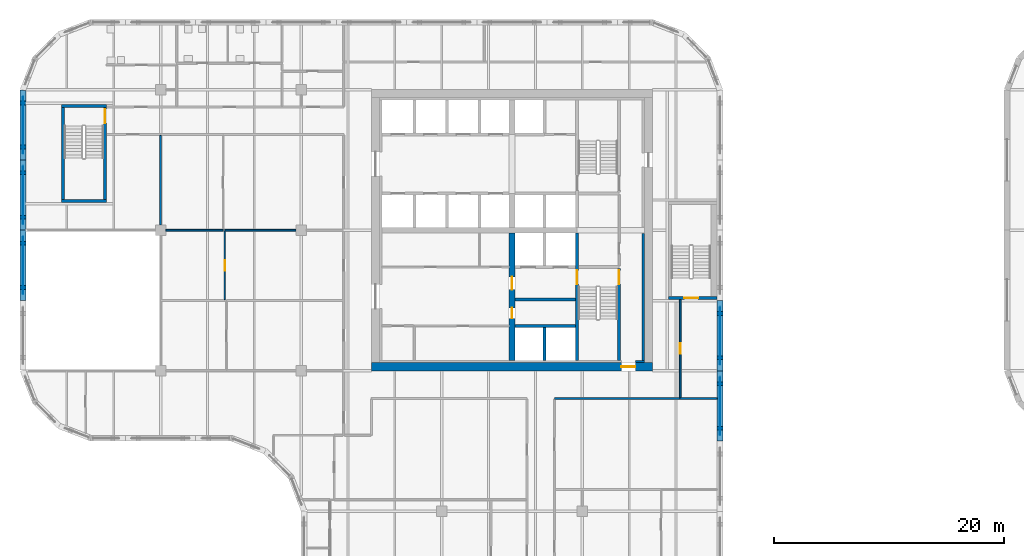
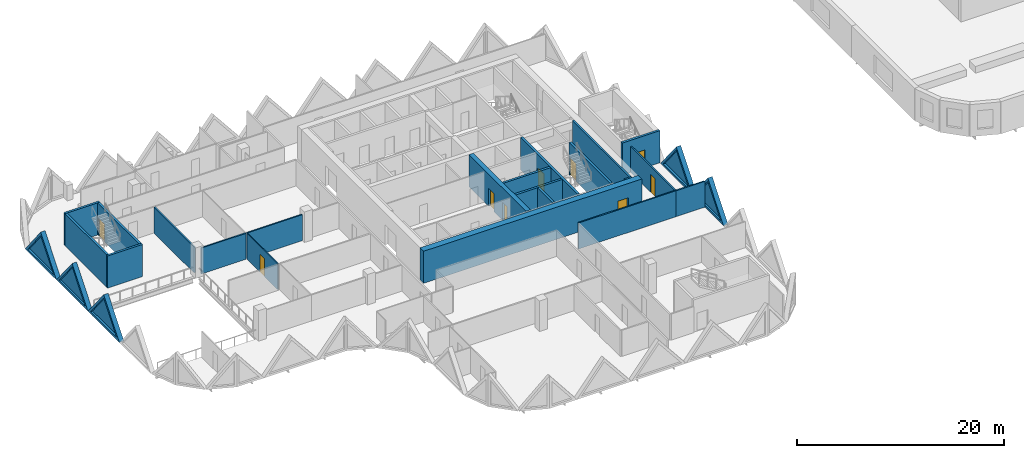
# One storey, part 7 of 17: 26 walls, 9 doors, 5 plates, 14 openings.
"""IFC4 building model written with IfcOpenShell, lengths in metres."""

from ifc_helpers import new_model, si_unit, direction, frame, frame_2d, origin, place, context, subcontext, project, spatial, polyline, rectangle, outline, extrude, faceted_brep, source, transform, mapped, material, layer, layer_set, type_object, element, fill, save


model = new_model("IFC4")

# Units and contexts
model_context = context("Model", 3, precision=1e-05, world=origin(), true_north=direction((0.0, 1.0)))
body_context = subcontext(model_context, "Body", "Model", "MODEL_VIEW")
ifc_project = project(units=[si_unit("LENGTHUNIT", "METRE"), si_unit("AREAUNIT", "SQUARE_METRE"), si_unit("VOLUMEUNIT", "CUBIC_METRE"), si_unit("PLANEANGLEUNIT", "RADIAN"), si_unit("MASSUNIT", "GRAM", prefix="KILO")], contexts=[model_context])

# Site, building, storey
site_placement = place(None, origin())
site = spatial("IfcSite", under=ifc_project, at=site_placement, CompositionType="ELEMENT")
building_placement = place(site_placement, origin())
building = spatial("IfcBuilding", under=site, at=building_placement, Name="Tessera Gate Towers", CompositionType="ELEMENT")
storey_placement = place(building_placement, frame((0.0, 0.0, 112.60009765625)))
storey = spatial("IfcBuildingStorey", under=building, at=storey_placement, Name="L27", CompositionType="ELEMENT", Elevation=112.60009765625)

# Wall, opening, door
ifc_material_1 = material(Name="Concrete C40/50", Category="concrete")
ifc_layer_1 = layer(ifc_material_1, 0.25)
ifc_layer_set_1 = layer_set([ifc_layer_1], Name="CORE ENCLOSURE WALL 250")
wall_type_1 = type_object("IfcWallType", Name="CORE ENCLOSURE WALL 250", PredefinedType="SOLIDWALL", material=ifc_layer_set_1)
wall_1_placement = place(storey_placement, frame((48.35009765625, 36.35009765625, 0.0), z_axis=(0.0, 0.0, 1.0), x_axis=(0.0, -1.0, 0.0)))
wall_1 = element("IfcWall", 1, at=wall_1_placement, inside=storey, type_object=wall_type_1, Name="L27 shaft and stair enclosure wall", PredefinedType="SOLIDWALL", context=body_context, shape_type="SweptSolid", body=[
    extrude(rectangle(XDim=11.050048828125, YDim=0.25, at=frame_2d((5.52490234375, 0.0))), origin(), (0.0, 0.0, 1.0), 3.7998046875),
])
shared_shape_1 = source(origin(), body_context, "Body", "SweptSolid", [
    extrude(rectangle(XDim=1.199951171875, YDim=2.10009765625, at=frame_2d((0.60009765625, 1.050048828125))), frame((0.0, 0.135009765625, 0.0), z_axis=(0.0, -1.0, 0.0), x_axis=(1.0, 0.0, 0.0)), (0.0, 0.0, 1.0), 0.27001953125),
])
opening_1_placement = place(wall_1_placement, frame((3.22509765625, 0.0, 0.0)))
opening_1 = element("IfcOpeningElement", 2, at=opening_1_placement, cuts=wall_1, Name="Opening SD-ST1-1", PredefinedType="OPENING", context=body_context, shape_type="MappedRepresentation", body=[
    mapped(shared_shape_1, transform((0.0, 0.0, 0.0), scale=1.0)),
])
ifc_material_2 = material(Name="Hollow steel fire door", Category="steel")
door_type_1 = type_object("IfcDoorType", Name="CORE DOOR SD 1200x2100", OperationType="NOTDEFINED", PredefinedType="DOOR", material=ifc_material_2)
shared_shape_2 = source(origin(), body_context, "Body", "SweptSolid", [
    extrude(rectangle(XDim=1.199951171875, YDim=2.10009765625, at=frame_2d((0.60009765625, 1.050048828125))), frame((0.0, 0.02490234375, 0.0), z_axis=(0.0, -1.0, 0.0), x_axis=(1.0, 0.0, 0.0)), (0.0, 0.0, 1.0), 0.050048828125),
])
door_1_placement = place(opening_1_placement, origin())
door_1 = element("IfcDoor", 3, at=door_1_placement, inside=storey, type_object=door_type_1, Name="Stair door", OperationType="SINGLE_SWING_LEFT", OverallHeight=2.10009765625, OverallWidth=1.199951171875, PredefinedType="DOOR", context=body_context, shape_type="MappedRepresentation", body=[
    mapped(shared_shape_2, transform((0.0, 0.0, 0.0), scale=1.0)),
])
fill(opening_1, door_1)

wall_2_placement = place(storey_placement, frame((52.0, 25.300048828125, 0.0), z_axis=(0.0, 0.0, 1.0), x_axis=(0.0, 1.0, 0.0)))
wall_2 = element("IfcWall", 4, at=wall_2_placement, inside=storey, type_object=wall_type_1, Name="L27 shaft and stair enclosure wall", PredefinedType="SOLIDWALL", context=body_context, shape_type="SweptSolid", body=[
    extrude(rectangle(XDim=7.974853515625, YDim=0.25, at=frame_2d((3.9873046875, 0.0))), origin(), (0.0, 0.0, 1.0), 3.7998046875),
])
opening_2_placement = place(wall_2_placement, frame((6.625, 0.0, 0.0)))
opening_2 = element("IfcOpeningElement", 5, at=opening_2_placement, cuts=wall_2, Name="Opening SD-ST1-2", PredefinedType="OPENING", context=body_context, shape_type="MappedRepresentation", body=[
    mapped(shared_shape_1, transform((0.0, 0.0, 0.0), scale=1.0)),
])
door_2_placement = place(opening_2_placement, origin())
door_2 = element("IfcDoor", 6, at=door_2_placement, inside=storey, type_object=door_type_1, Name="Stair door", OperationType="SINGLE_SWING_RIGHT", OverallHeight=2.10009765625, OverallWidth=1.199951171875, PredefinedType="DOOR", context=body_context, shape_type="MappedRepresentation", body=[
    mapped(shared_shape_2, transform((0.0, 0.0, 0.0), scale=1.0)),
])
fill(opening_2, door_2)

# Walls
for number, where, z_axis, x_axis, name in (
    (7, (42.949951171875, 28.300048828125, 0.0), (0.0, 0.0, 1.0), (1.0, 0.0, 0.0), "L27 shaft and stair enclosure wall"),
    (8, (42.949951171875, 30.60009765625, 0.0), (0.0, 0.0, 1.0), (1.0, 0.0, 0.0), "L27 shaft and stair enclosure wall"),
):
    element("IfcWall", number, at=place(storey_placement, frame(where, z_axis=z_axis, x_axis=x_axis)), inside=storey, type_object=wall_type_1, Name=name, PredefinedType="SOLIDWALL", context=body_context, shape_type="SweptSolid", body=[
        extrude(rectangle(XDim=5.275146484375, YDim=0.25, at=frame_2d((2.6376953125, 0.0))), origin(), (0.0, 0.0, 1.0), 3.7998046875),
    ])
wall_3_placement = place(storey_placement, frame((45.52490234375, 25.300048828125, 0.0), z_axis=(0.0, 0.0, 1.0), x_axis=(0.0, 1.0, 0.0)))
element("IfcWall", 9, at=wall_3_placement, inside=storey, type_object=wall_type_1, Name="L27 shaft and stair enclosure wall", PredefinedType="SOLIDWALL", context=body_context, shape_type="SweptSolid", body=[
    extrude(rectangle(XDim=2.875, YDim=0.25, at=frame_2d((1.4375, 0.0))), origin(), (0.0, 0.0, 1.0), 3.7998046875),
])
wall_4_placement = place(storey_placement, frame((7.5, 39.125, 0.0), z_axis=(0.0, 0.0, 1.0), x_axis=(-1.0, 0.0, 0.0)))
element("IfcWall", 10, at=wall_4_placement, inside=storey, type_object=wall_type_1, Name="L27 ST3 enclosure wall", PredefinedType="SOLIDWALL", context=body_context, shape_type="SweptSolid", body=[
    extrude(rectangle(XDim=3.89990234375, YDim=0.25, at=frame_2d((1.949951171875, 0.0))), origin(), (0.0, 0.0, 1.0), 3.7998046875),
])
wall_5_placement = place(storey_placement, frame((3.72509765625, 39.25, 0.0), z_axis=(0.0, 0.0, 1.0), x_axis=(0.0, 1.0, 0.0)))
element("IfcWall", 11, at=wall_5_placement, inside=storey, type_object=wall_type_1, Name="L27 ST3 enclosure wall", PredefinedType="SOLIDWALL", context=body_context, shape_type="SweptSolid", body=[
    extrude(rectangle(XDim=8.0, YDim=0.25, at=frame_2d((4.0, 0.0))), origin(), (0.0, 0.0, 1.0), 3.7998046875),
])
wall_6_placement = place(storey_placement, frame((3.60009765625, 47.375, 0.0), z_axis=(0.0, 0.0, 1.0), x_axis=(1.0, 0.0, 0.0)))
element("IfcWall", 12, at=wall_6_placement, inside=storey, type_object=wall_type_1, Name="L27 ST3 enclosure wall", PredefinedType="SOLIDWALL", context=body_context, shape_type="SweptSolid", body=[
    extrude(rectangle(XDim=3.89990234375, YDim=0.25, at=frame_2d((1.949951171875, 0.0))), origin(), (0.0, 0.0, 1.0), 3.7998046875),
])

# Wall, opening, door
wall_7_placement = place(storey_placement, frame((7.375, 47.25, 0.0), z_axis=(0.0, 0.0, 1.0), x_axis=(0.0, -1.0, 0.0)))
wall_7 = element("IfcWall", 13, at=wall_7_placement, inside=storey, type_object=wall_type_1, Name="L27 ST3 enclosure wall", PredefinedType="SOLIDWALL", context=body_context, shape_type="SweptSolid", body=[
    extrude(rectangle(XDim=8.0, YDim=0.25, at=frame_2d((4.0, 0.0))), origin(), (0.0, 0.0, 1.0), 3.7998046875),
])
opening_3_placement = place(wall_7_placement, frame((0.14990234375, 0.0, 0.0)))
opening_3 = element("IfcOpeningElement", 14, at=opening_3_placement, cuts=wall_7, Name="Opening SD-ST3-1", PredefinedType="OPENING", context=body_context, shape_type="MappedRepresentation", body=[
    mapped(shared_shape_1, transform((0.0, 0.0, 0.0), scale=1.0)),
])
door_3_placement = place(opening_3_placement, origin())
door_3 = element("IfcDoor", 15, at=door_3_placement, inside=storey, type_object=door_type_1, Name="Stair door", OperationType="SINGLE_SWING_LEFT", OverallHeight=2.10009765625, OverallWidth=1.199951171875, PredefinedType="DOOR", context=body_context, shape_type="MappedRepresentation", body=[
    mapped(shared_shape_2, transform((0.0, 0.0, 0.0), scale=1.0)),
])
fill(opening_3, door_3)

wall_8_placement = place(storey_placement, frame((60.5, 30.72509765625, 0.0), z_axis=(0.0, 0.0, 1.0), x_axis=(-1.0, 0.0, 0.0)))
wall_8 = element("IfcWall", 16, at=wall_8_placement, inside=storey, type_object=wall_type_1, Name="L27 ST5 enclosure wall", PredefinedType="SOLIDWALL", context=body_context, shape_type="SweptSolid", body=[
    extrude(rectangle(XDim=4.199951171875, YDim=0.25, at=frame_2d((2.10009765625, 0.0))), origin(), (0.0, 0.0, 1.0), 3.7998046875),
])
opening_4_placement = place(wall_8_placement, frame((1.64990234375, 0.0, 0.0)))
opening_4 = element("IfcOpeningElement", 17, at=opening_4_placement, cuts=wall_8, Name="Opening SD-ST5-1", PredefinedType="OPENING", context=body_context, shape_type="MappedRepresentation", body=[
    mapped(shared_shape_1, transform((0.0, 0.0, 0.0), scale=1.0)),
])
door_4_placement = place(opening_4_placement, origin())
door_4 = element("IfcDoor", 18, at=door_4_placement, inside=storey, type_object=door_type_1, Name="Stair door", OperationType="SINGLE_SWING_RIGHT", OverallHeight=2.10009765625, OverallWidth=1.199951171875, PredefinedType="DOOR", context=body_context, shape_type="MappedRepresentation", body=[
    mapped(shared_shape_2, transform((0.0, 0.0, 0.0), scale=1.0)),
])
fill(opening_4, door_4)

ifc_material_3 = material(Name="Concrete C60/75", Category="concrete")
ifc_layer_2 = layer(ifc_material_3, 0.699951171875)
ifc_layer_set_2 = layer_set([ifc_layer_2], Name="CORE SHEAR WALL 700 C60/75")
wall_type_2 = type_object("IfcWallType", Name="CORE SHEAR WALL 700 C60/75", PredefinedType="SHEAR", material=ifc_layer_set_2)
wall_9_placement = place(storey_placement, frame((54.89990234375, 24.75, 0.0), z_axis=(0.0, 0.0, 1.0), x_axis=(-1.0, 0.0, 0.0)))
wall_9 = element("IfcWall", 19, at=wall_9_placement, inside=storey, type_object=wall_type_2, Name="Core wall S L27", PredefinedType="SHEAR", context=body_context, shape_type="SweptSolid", body=[
    extrude(rectangle(XDim=24.39990234375, YDim=0.699951171875, at=frame_2d((12.199951171875, 0.0))), origin(), (0.0, 0.0, 1.0), 3.7998046875),
])
shared_shape_3 = source(origin(), body_context, "Body", "SweptSolid", [
    extrude(rectangle(XDim=1.199951171875, YDim=2.10009765625, at=frame_2d((0.60009765625, 1.050048828125))), frame((0.0, 0.35986328125, 0.0), z_axis=(0.0, -1.0, 0.0), x_axis=(1.0, 0.0, 0.0)), (0.0, 0.0, 1.0), 0.719970703125),
])
opening_5_placement = place(wall_9_placement, frame((1.5, 0.0, 0.0)))
opening_5 = element("IfcOpeningElement", 20, at=opening_5_placement, cuts=wall_9, Name="Opening ED-T1-19-01", PredefinedType="OPENING", context=body_context, shape_type="MappedRepresentation", body=[
    mapped(shared_shape_3, transform((0.0, 0.0, 0.0), scale=1.0)),
])
ifc_material_4 = material(Name="Hollow steel fire door", Category="steel")
door_type_2 = type_object("IfcDoorType", Name="CORE DOOR ED 1200x2100", OperationType="NOTDEFINED", PredefinedType="DOOR", material=ifc_material_4)
door_5_placement = place(opening_5_placement, origin())
door_5 = element("IfcDoor", 21, at=door_5_placement, inside=storey, type_object=door_type_2, Name="Core exit door", OperationType="SINGLE_SWING_LEFT", OverallHeight=2.10009765625, OverallWidth=1.199951171875, PredefinedType="DOOR", context=body_context, shape_type="MappedRepresentation", body=[
    mapped(shared_shape_2, transform((0.0, 0.0, 0.0), scale=1.0)),
])
fill(opening_5, door_5)

# Wall, openings, doors
ifc_material_5 = material(Name="Concrete C60/75", Category="concrete")
ifc_layer_3 = layer(ifc_material_5, 0.5)
ifc_layer_set_3 = layer_set([ifc_layer_3], Name="CORE SPINE WALL 500 C60/75")
wall_type_3 = type_object("IfcWallType", Name="CORE SPINE WALL 500 C60/75", PredefinedType="SHEAR", material=ifc_layer_set_3)
wall_10_placement = place(storey_placement, frame((42.699951171875, 36.35009765625, 0.0), z_axis=(0.0, 0.0, 1.0), x_axis=(0.0, -1.0, 0.0)))
wall_10 = element("IfcWall", 22, at=wall_10_placement, inside=storey, type_object=wall_type_3, Name="Core wall spine L27", PredefinedType="SHEAR", context=body_context, shape_type="SweptSolid", body=[
    extrude(rectangle(XDim=11.050048828125, YDim=0.5, at=frame_2d((5.52490234375, 0.0))), origin(), (0.0, 0.0, 1.0), 3.7998046875),
])
shared_shape_4 = source(origin(), body_context, "Body", "SweptSolid", [
    extrude(rectangle(XDim=0.89990234375, YDim=2.10009765625, at=frame_2d((0.449951171875, 1.050048828125))), frame((0.0, 0.260009765625, 0.0), z_axis=(0.0, -1.0, 0.0), x_axis=(1.0, 0.0, 0.0)), (0.0, 0.0, 1.0), 0.52001953125),
])
opening_6_placement = place(wall_10_placement, frame((6.5, 0.0, 0.0)))
opening_6 = element("IfcOpeningElement", 23, at=opening_6_placement, cuts=wall_10, Name="Opening RD-T1-19-05", PredefinedType="OPENING", context=body_context, shape_type="MappedRepresentation", body=[
    mapped(shared_shape_4, transform((0.0, 0.0, 0.0), scale=1.0)),
])
shared_shape_5 = source(origin(), body_context, "Body", "SweptSolid", [
    extrude(rectangle(XDim=1.10009765625, YDim=2.10009765625, at=frame_2d((0.550048828125, 1.050048828125))), frame((0.0, 0.260009765625, 0.0), z_axis=(0.0, -1.0, 0.0), x_axis=(1.0, 0.0, 0.0)), (0.0, 0.0, 1.0), 0.52001953125),
])
opening_7_placement = place(wall_10_placement, frame((3.800048828125, 0.0, 0.0)))
opening_7 = element("IfcOpeningElement", 24, at=opening_7_placement, cuts=wall_10, Name="Opening FD-T1-19-06", PredefinedType="OPENING", context=body_context, shape_type="MappedRepresentation", body=[
    mapped(shared_shape_5, transform((0.0, 0.0, 0.0), scale=1.0)),
])
ifc_material_6 = material(Name="Hollow steel fire door", Category="steel")
door_type_3 = type_object("IfcDoorType", Name="CORE DOOR RD 900x2100", OperationType="NOTDEFINED", PredefinedType="DOOR", material=ifc_material_6)
shared_shape_6 = source(origin(), body_context, "Body", "SweptSolid", [
    extrude(rectangle(XDim=0.89990234375, YDim=2.10009765625, at=frame_2d((0.449951171875, 1.050048828125))), frame((0.0, 0.02490234375, 0.0), z_axis=(0.0, -1.0, 0.0), x_axis=(1.0, 0.0, 0.0)), (0.0, 0.0, 1.0), 0.050048828125),
])
door_6_placement = place(opening_6_placement, origin())
door_6 = element("IfcDoor", 25, at=door_6_placement, inside=storey, type_object=door_type_3, Name="Core room door", OperationType="SINGLE_SWING_RIGHT", OverallHeight=2.10009765625, OverallWidth=0.89990234375, PredefinedType="DOOR", context=body_context, shape_type="MappedRepresentation", body=[
    mapped(shared_shape_6, transform((0.0, 0.0, 0.0), scale=1.0)),
])
fill(opening_6, door_6)
ifc_material_7 = material(Name="Hollow steel fire door", Category="steel")
door_type_4 = type_object("IfcDoorType", Name="CORE DOOR FD 1100x2100", OperationType="NOTDEFINED", PredefinedType="DOOR", material=ifc_material_7)
shared_shape_7 = source(origin(), body_context, "Body", "SweptSolid", [
    extrude(rectangle(XDim=1.10009765625, YDim=2.10009765625, at=frame_2d((0.550048828125, 1.050048828125))), frame((0.0, 0.02490234375, 0.0), z_axis=(0.0, -1.0, 0.0), x_axis=(1.0, 0.0, 0.0)), (0.0, 0.0, 1.0), 0.050048828125),
])
door_7_placement = place(opening_7_placement, origin())
door_7 = element("IfcDoor", 26, at=door_7_placement, inside=storey, type_object=door_type_4, Name="Fire-fighting lobby door", OperationType="SINGLE_SWING_LEFT", OverallHeight=2.10009765625, OverallWidth=1.10009765625, PredefinedType="DOOR", context=body_context, shape_type="MappedRepresentation", body=[
    mapped(shared_shape_7, transform((0.0, 0.0, 0.0), scale=1.0)),
])
fill(opening_7, door_7)

# Walls
ifc_material_8 = material(Name="Concrete C60/75", Category="concrete")
ifc_layer_4 = layer(ifc_material_8, 0.199951171875)
ifc_layer_set_4 = layer_set([ifc_layer_4], Name="CORE WALL THICKENING 200")
wall_type_4 = type_object("IfcWallType", Name="CORE WALL THICKENING 200", PredefinedType="SOLIDWALL", material=ifc_layer_set_4)
wall_11_placement = place(storey_placement, frame((53.39990234375, 25.199951171875, 0.0), z_axis=(0.0, 0.0, 1.0), x_axis=(1.0, 0.0, 0.0)))
element("IfcWall", 27, at=wall_11_placement, inside=storey, type_object=wall_type_4, Name="Core wall thickening S L27", PredefinedType="SOLIDWALL", context=body_context, shape_type="SweptSolid", body=[
    extrude(rectangle(XDim=0.800048828125, YDim=0.199951171875, at=frame_2d((0.39990234375, 0.0))), origin(), (0.0, 0.0, 1.0), 3.7998046875),
])
wall_12_placement = place(storey_placement, frame((54.10009765625, 25.300048828125, 0.0), z_axis=(0.0, 0.0, 1.0), x_axis=(0.0, 1.0, 0.0)))
element("IfcWall", 28, at=wall_12_placement, inside=storey, type_object=wall_type_4, Name="Core wall thickening E L27", PredefinedType="SOLIDWALL", context=body_context, shape_type="SweptSolid", body=[
    extrude(rectangle(XDim=11.02001953125, YDim=0.199951171875, at=frame_2d((5.510009765625, 0.0))), origin(), (0.0, 0.0, 1.0), 3.7998046875),
])
ifc_material_9 = material(Name="Gypsum board on steel studs, mineral wool", Category="steel")
ifc_layer_5 = layer(ifc_material_9, 0.14990234375)
ifc_layer_set_5 = layer_set([ifc_layer_5], Name="CORRIDOR WALL 150")
wall_type_5 = type_object("IfcWallType", Name="CORRIDOR WALL 150", PredefinedType="PARTITIONING", material=ifc_layer_set_5)
wall_13_placement = place(storey_placement, frame((46.39990234375, 22.0, 0.0), z_axis=(0.0, 0.0, 1.0), x_axis=(1.0, 0.0, 0.0)))
element("IfcWall", 29, at=wall_13_placement, inside=storey, type_object=wall_type_5, Name="T1-L27-PW-026", PredefinedType="PARTITIONING", context=body_context, shape_type="SweptSolid", body=[
    extrude(rectangle(XDim=10.900146484375, YDim=0.14990234375, at=frame_2d((5.4501953125, 0.0))), origin(), (0.0, 0.0, 1.0), 3.06689453125),
])

# Wall, opening, door
wall_14_placement = place(storey_placement, frame((57.300048828125, 30.60009765625, 0.0), z_axis=(0.0, 0.0, 1.0), x_axis=(0.0, -1.0, 0.0)))
wall_14 = element("IfcWall", 30, at=wall_14_placement, inside=storey, type_object=wall_type_5, Name="T1-L27-PW-028", PredefinedType="PARTITIONING", context=body_context, shape_type="SweptSolid", body=[
    extrude(rectangle(XDim=8.524169921875, YDim=0.14990234375, at=frame_2d((4.26220703125, 0.0))), origin(), (0.0, 0.0, 1.0), 3.06689453125),
])
shared_shape_8 = source(origin(), body_context, "Body", "SweptSolid", [
    extrude(rectangle(XDim=0.89990234375, YDim=2.10009765625, at=frame_2d((0.449951171875, 1.050048828125))), frame((0.0, 0.0849609375, 0.0), z_axis=(0.0, -1.0, 0.0), x_axis=(1.0, 0.0, 0.0)), (0.0, 0.0, 1.0), 0.169921875),
])
opening_8_placement = place(wall_14_placement, frame((3.823974609375, 0.0, 0.0)))
opening_8 = element("IfcOpeningElement", 31, at=opening_8_placement, cuts=wall_14, Name="Opening D890FD60-A10-05", PredefinedType="OPENING", context=body_context, shape_type="MappedRepresentation", body=[
    mapped(shared_shape_8, transform((0.0, 0.0, 0.0), scale=1.0)),
])
ifc_material_10 = material(Name="Timber door leaf in steel frame", Category="steel")
door_type_5 = type_object("IfcDoorType", Name="CORRIDOR DOOR 900 FD60", OperationType="NOTDEFINED", PredefinedType="DOOR", material=ifc_material_10)
door_8_placement = place(opening_8_placement, origin())
door_8 = element("IfcDoor", 32, at=door_8_placement, inside=storey, type_object=door_type_5, Name="T1-L27-PD-021", OperationType="SINGLE_SWING_RIGHT", OverallHeight=2.10009765625, OverallWidth=0.89990234375, PredefinedType="DOOR", context=body_context, shape_type="MappedRepresentation", body=[
    mapped(shared_shape_6, transform((0.0, 0.0, 0.0), scale=1.0)),
])
fill(opening_8, door_8)

ifc_material_11 = material(Name="Glass", Category="glass")
ifc_layer_6 = layer(ifc_material_11, 0.10009765625)
ifc_layer_set_6 = layer_set([ifc_layer_6], Name="GLAZED PARTITION 100")
wall_type_6 = type_object("IfcWallType", Name="GLAZED PARTITION 100", PredefinedType="PARTITIONING", material=ifc_layer_set_6)
wall_15_placement = place(storey_placement, frame((17.77490234375, 30.575927734375, 0.0), z_axis=(0.0, 0.0, 1.0), x_axis=(0.0, 1.0, 0.0)))
wall_15 = element("IfcWall", 33, at=wall_15_placement, inside=storey, type_object=wall_type_6, Name="T1-L27-PW-035", PredefinedType="PARTITIONING", context=body_context, shape_type="SweptSolid", body=[
    extrude(rectangle(XDim=5.947998046875, YDim=0.10009765625, at=frame_2d((2.97412109375, 0.0))), origin(), (0.0, 0.0, 1.0), 3.06689453125),
])
shared_shape_9 = source(origin(), body_context, "Body", "SweptSolid", [
    extrude(rectangle(XDim=0.89990234375, YDim=2.10009765625, at=frame_2d((0.449951171875, 1.050048828125))), frame((0.0, 0.06005859375, 0.0), z_axis=(0.0, -1.0, 0.0), x_axis=(1.0, 0.0, 0.0)), (0.0, 0.0, 1.0), 0.1201171875),
])
opening_9_placement = place(wall_15_placement, frame((2.5, 0.0, 0.0)))
opening_9 = element("IfcOpeningElement", 34, at=opening_9_placement, cuts=wall_15, Name="Opening D690-A10-05", PredefinedType="OPENING", context=body_context, shape_type="MappedRepresentation", body=[
    mapped(shared_shape_9, transform((0.0, 0.0, 0.0), scale=1.0)),
])
ifc_material_12 = material(Name="Glass in aluminium frame", Category="aluminium")
door_type_6 = type_object("IfcDoorType", Name="GLAZED DOOR 900 NOT RATED", OperationType="NOTDEFINED", PredefinedType="DOOR", material=ifc_material_12)
door_9_placement = place(opening_9_placement, origin())
door_9 = element("IfcDoor", 35, at=door_9_placement, inside=storey, type_object=door_type_6, Name="T1-L27-PD-012", OperationType="SINGLE_SWING_LEFT", OverallHeight=2.10009765625, OverallWidth=0.89990234375, PredefinedType="DOOR", context=body_context, shape_type="MappedRepresentation", body=[
    mapped(shared_shape_6, transform((0.0, 0.0, 0.0), scale=1.0)),
])
fill(opening_9, door_9)

# Walls
ifc_material_13 = material(Name="Gypsum board on steel studs, mineral wool", Category="steel")
ifc_layer_7 = layer(ifc_material_13, 0.14990234375)
ifc_layer_set_7 = layer_set([ifc_layer_7], Name="TENANCY WALL 150")
wall_type_7 = type_object("IfcWallType", Name="TENANCY WALL 150", PredefinedType="PARTITIONING", material=ifc_layer_set_7)
wall_16_placement = place(storey_placement, frame((57.301025390625, 22.0, 0.0), z_axis=(0.0, 0.0, 1.0), x_axis=(1.0, 0.0, 0.0)))
element("IfcWall", 36, at=wall_16_placement, inside=storey, type_object=wall_type_7, Name="T1-L27-PW-027", PredefinedType="PARTITIONING", context=body_context, shape_type="SweptSolid", body=[
    extrude(rectangle(XDim=3.198974609375, YDim=0.14990234375, at=frame_2d((1.599609375, 0.0))), origin(), (0.0, 0.0, 1.0), 3.06689453125),
])
wall_17_placement = place(storey_placement, frame((12.65087890625, 36.60009765625, 0.0), z_axis=(0.0, 0.0, 1.0), x_axis=(1.0, 0.0, 0.0)))
element("IfcWall", 37, at=wall_17_placement, inside=storey, type_object=wall_type_7, Name="T1-L27-PW-036", PredefinedType="PARTITIONING", context=body_context, shape_type="SweptSolid", body=[
    extrude(rectangle(XDim=4.97412109375, YDim=0.14990234375, at=frame_2d((2.487060546875, 0.0))), origin(), (0.0, 0.0, 1.0), 3.06689453125),
])
wall_18_placement = place(storey_placement, frame((17.77490234375, 36.60009765625, 0.0), z_axis=(0.0, 0.0, 1.0), x_axis=(1.0, 0.0, 0.0)))
element("IfcWall", 38, at=wall_18_placement, inside=storey, type_object=wall_type_7, Name="T1-L27-PW-037", PredefinedType="PARTITIONING", context=body_context, shape_type="SweptSolid", body=[
    extrude(rectangle(XDim=6.174072265625, YDim=0.14990234375, at=frame_2d((3.0869140625, 0.0))), origin(), (0.0, 0.0, 1.0), 3.06689453125),
])
wall_19_placement = place(storey_placement, frame((12.199951171875, 37.051025390625, 0.0), z_axis=(0.0, 0.0, 1.0), x_axis=(0.0, 1.0, 0.0)))
element("IfcWall", 39, at=wall_19_placement, inside=storey, type_object=wall_type_7, Name="T1-L27-PW-040", PredefinedType="PARTITIONING", context=body_context, shape_type="SweptSolid", body=[
    extrude(rectangle(XDim=7.77294921875, YDim=0.14990234375, at=frame_2d((3.886474609375, 0.0))), origin(), (0.0, 0.0, 1.0), 3.06689453125),
])

# Wall, opening, plate
ifc_material_14 = material(Name="Precast concrete C60/75 white", Category="concrete")
ifc_layer_8 = layer(ifc_material_14, 0.5)
ifc_layer_set_8 = layer_set([ifc_layer_8], Name="TS2 half tessera")
wall_type_8 = type_object("IfcWallType", Name="TS2 half tessera", PredefinedType="SOLIDWALL", material=ifc_layer_set_8)
shared_shape_10 = source(origin(), body_context, "Body", "Brep", [
    faceted_brep([(6.099853515625, -0.25, 0.000244140625), (3.050048828125, -0.25, 3.7998046875), (0.0, -0.25, 0.0), (6.099853515625, -0.25, 0.0), (0.0, 0.25, 0.0), (3.050048828125, 0.25, 3.7998046875), (6.099853515625, 0.25, 0.000244140625), (6.099853515625, 0.25, 0.0)], [[[0, 1, 2, 3]], [[4, 5, 6, 7]], [[6, 5, 1, 0]], [[5, 4, 2, 1]], [[4, 7, 3, 2]], [[3, 7, 6, 0]]]),
])
wall_20_placement = place(storey_placement, frame((60.75, 18.300048828125, 0.0), z_axis=(0.0, 0.0, 1.0), x_axis=(0.0, 1.0, 0.0)))
wall_20 = element("IfcWall", 40, at=wall_20_placement, inside=storey, type_object=wall_type_8, Name="Precast half tessera T1 TS2-0143", PredefinedType="SOLIDWALL", context=body_context, shape_type="MappedRepresentation", body=[
    mapped(shared_shape_10, transform((0.0, 0.0, 0.0), scale=1.0)),
])
shared_shape_11 = source(origin(), body_context, "Body", "SweptSolid", [
    extrude(outline(polyline([(5.578857421875, 0.25), (3.050048828125, 3.400390625), (0.521240234375, 0.25), (5.578857421875, 0.25)])), frame((0.0, 0.260009765625, 0.0), z_axis=(0.0, -1.0, 0.0), x_axis=(1.0, 0.0, 0.0)), (0.0, 0.0, 1.0), 0.52001953125),
])
opening_10_placement = place(wall_20_placement, origin())
opening_10 = element("IfcOpeningElement", 41, at=opening_10_placement, cuts=wall_20, Name="Opening T1-PL1-0293", PredefinedType="OPENING", context=body_context, shape_type="MappedRepresentation", body=[
    mapped(shared_shape_11, transform((0.0, 0.0, 0.0), scale=1.0)),
])
ifc_material_15 = material(Name="Low-e laminated glass", Category="glass")
ifc_layer_9 = layer(ifc_material_15, 0.06005859375)
ifc_layer_set_9 = layer_set([ifc_layer_9], Name="PL1 triangular pane")
plate_type = type_object("IfcPlateType", Name="PL1 triangular pane", PredefinedType="SHEET", material=ifc_layer_set_9)
shared_shape_12 = source(origin(), body_context, "Body", "SweptSolid", [
    extrude(outline(polyline([(5.578857421875, 0.25), (3.050048828125, 3.400390625), (0.521240234375, 0.25), (5.578857421875, 0.25)])), frame((0.0, 0.030029296875, 0.0), z_axis=(0.0, -1.0, 0.0), x_axis=(1.0, 0.0, 0.0)), (0.0, 0.0, 1.0), 0.06005859375),
])
plate_1_placement = place(opening_10_placement, origin())
plate_1 = element("IfcPlate", 42, at=plate_1_placement, inside=storey, type_object=plate_type, Name="Glass pane T1 PL1-0293", PredefinedType="SHEET", context=body_context, shape_type="MappedRepresentation", body=[
    mapped(shared_shape_12, transform((0.0, 0.0, 0.0), scale=1.0)),
])
fill(opening_10, plate_1)

wall_21_placement = place(storey_placement, frame((0.25, 42.699951171875, 0.0), z_axis=(0.0, 0.0, 1.0), x_axis=(0.0, -1.0, 0.0)))
wall_21 = element("IfcWall", 43, at=wall_21_placement, inside=storey, type_object=wall_type_8, Name="Precast half tessera T1 TS2-0156", PredefinedType="SOLIDWALL", context=body_context, shape_type="MappedRepresentation", body=[
    mapped(shared_shape_10, transform((0.0, 0.0, 0.0), scale=1.0)),
])
opening_11_placement = place(wall_21_placement, origin())
opening_11 = element("IfcOpeningElement", 44, at=opening_11_placement, cuts=wall_21, Name="Opening T1-PL1-0314", PredefinedType="OPENING", context=body_context, shape_type="MappedRepresentation", body=[
    mapped(shared_shape_11, transform((0.0, 0.0, 0.0), scale=1.0)),
])
plate_2_placement = place(opening_11_placement, origin())
plate_2 = element("IfcPlate", 45, at=plate_2_placement, inside=storey, type_object=plate_type, Name="Glass pane T1 PL1-0314", PredefinedType="SHEET", context=body_context, shape_type="MappedRepresentation", body=[
    mapped(shared_shape_12, transform((0.0, 0.0, 0.0), scale=1.0)),
])
fill(opening_11, plate_2)

shared_shape_13 = source(origin(), body_context, "Body", "SweptSolid", [
    extrude(outline(polyline([(6.10009765625, 0.0), (3.050048828125, 3.7998046875), (0.0, 0.0), (6.10009765625, 0.0)])), frame((0.0, 0.25, 0.0), z_axis=(0.0, -1.0, 0.0), x_axis=(1.0, 0.0, 0.0)), (0.0, 0.0, 1.0), 0.5),
])
wall_22_placement = place(storey_placement, frame((60.75, 24.39990234375, 0.0), z_axis=(0.0, 0.0, 1.0), x_axis=(0.0, 1.0, 0.0)))
wall_22 = element("IfcWall", 46, at=wall_22_placement, inside=storey, type_object=wall_type_8, Name="Precast half tessera T1 TS2-0144", PredefinedType="SOLIDWALL", context=body_context, shape_type="MappedRepresentation", body=[
    mapped(shared_shape_13, transform((0.0, 0.0, 0.0), scale=1.0)),
])
opening_12_placement = place(wall_22_placement, origin())
opening_12 = element("IfcOpeningElement", 47, at=opening_12_placement, cuts=wall_22, Name="Opening T1-PL1-0294", PredefinedType="OPENING", context=body_context, shape_type="MappedRepresentation", body=[
    mapped(shared_shape_11, transform((0.0, 0.0, 0.0), scale=1.0)),
])
plate_3_placement = place(opening_12_placement, origin())
plate_3 = element("IfcPlate", 48, at=plate_3_placement, inside=storey, type_object=plate_type, Name="Glass pane T1 PL1-0294", PredefinedType="SHEET", context=body_context, shape_type="MappedRepresentation", body=[
    mapped(shared_shape_12, transform((0.0, 0.0, 0.0), scale=1.0)),
])
fill(opening_12, plate_3)

wall_23_placement = place(storey_placement, frame((0.25, 36.60009765625, 0.0), z_axis=(0.0, 0.0, 1.0), x_axis=(0.0, -1.0, 0.0)))
wall_23 = element("IfcWall", 49, at=wall_23_placement, inside=storey, type_object=wall_type_8, Name="Precast half tessera T1 TS2-0157", PredefinedType="SOLIDWALL", context=body_context, shape_type="MappedRepresentation", body=[
    mapped(shared_shape_13, transform((0.0, 0.0, 0.0), scale=1.0)),
])
opening_13_placement = place(wall_23_placement, origin())
opening_13 = element("IfcOpeningElement", 50, at=opening_13_placement, cuts=wall_23, Name="Opening T1-PL1-0315", PredefinedType="OPENING", context=body_context, shape_type="MappedRepresentation", body=[
    mapped(shared_shape_11, transform((0.0, 0.0, 0.0), scale=1.0)),
])
plate_4_placement = place(opening_13_placement, origin())
plate_4 = element("IfcPlate", 51, at=plate_4_placement, inside=storey, type_object=plate_type, Name="Glass pane T1 PL1-0315", PredefinedType="SHEET", context=body_context, shape_type="MappedRepresentation", body=[
    mapped(shared_shape_12, transform((0.0, 0.0, 0.0), scale=1.0)),
])
fill(opening_13, plate_4)

shared_shape_14 = source(origin(), body_context, "Body", "Brep", [
    faceted_brep([(6.053466796875, -0.25, 0.0), (3.00341796875, -0.25, 3.7998046875), (0.0, -0.25, 0.0), (0.046630859375, 0.25, 0.058837890625), (3.00341796875, 0.25, 3.7998046875), (6.053466796875, 0.25, 0.0), (0.046630859375, 0.25, 0.0), (0.0, 0.0, 0.0)], [[[0, 1, 2]], [[3, 4, 5, 6]], [[5, 4, 1, 0]], [[4, 3, 7, 2, 1]], [[6, 5, 0, 2, 7]], [[6, 7, 3]]]),
])
wall_24_placement = place(storey_placement, frame((0.25, 48.75341796875, 0.0), z_axis=(0.0, 0.0, 1.0), x_axis=(0.0, -1.0, 0.0)))
wall_24 = element("IfcWall", 52, at=wall_24_placement, inside=storey, type_object=wall_type_8, Name="Precast half tessera T1 TS2-0155", PredefinedType="SOLIDWALL", context=body_context, shape_type="MappedRepresentation", body=[
    mapped(shared_shape_14, transform((0.0, 0.0, 0.0), scale=1.0)),
])
shared_shape_15 = source(origin(), body_context, "Body", "SweptSolid", [
    extrude(outline(polyline([(5.5322265625, 0.25), (3.0048828125, 3.398681640625), (0.516357421875, 0.25), (5.5322265625, 0.25)])), frame((0.0, 0.260009765625, 0.0), z_axis=(0.0, -1.0, 0.0), x_axis=(1.0, 0.0, 0.0)), (0.0, 0.0, 1.0), 0.52001953125),
])
opening_14_placement = place(wall_24_placement, origin())
opening_14 = element("IfcOpeningElement", 53, at=opening_14_placement, cuts=wall_24, Name="Opening T1-PL1-0313", PredefinedType="OPENING", context=body_context, shape_type="MappedRepresentation", body=[
    mapped(shared_shape_15, transform((0.0, 0.0, 0.0), scale=1.0)),
])
shared_shape_16 = source(origin(), body_context, "Body", "SweptSolid", [
    extrude(outline(polyline([(5.5322265625, 0.25), (3.0048828125, 3.398681640625), (0.516357421875, 0.25), (5.5322265625, 0.25)])), frame((0.0, 0.030029296875, 0.0), z_axis=(0.0, -1.0, 0.0), x_axis=(1.0, 0.0, 0.0)), (0.0, 0.0, 1.0), 0.06005859375),
])
plate_5_placement = place(opening_14_placement, origin())
plate_5 = element("IfcPlate", 54, at=plate_5_placement, inside=storey, type_object=plate_type, Name="Glass pane T1 PL1-0313", PredefinedType="SHEET", context=body_context, shape_type="MappedRepresentation", body=[
    mapped(shared_shape_16, transform((0.0, 0.0, 0.0), scale=1.0)),
])
fill(opening_14, plate_5)

save(model, "model.ifc")
